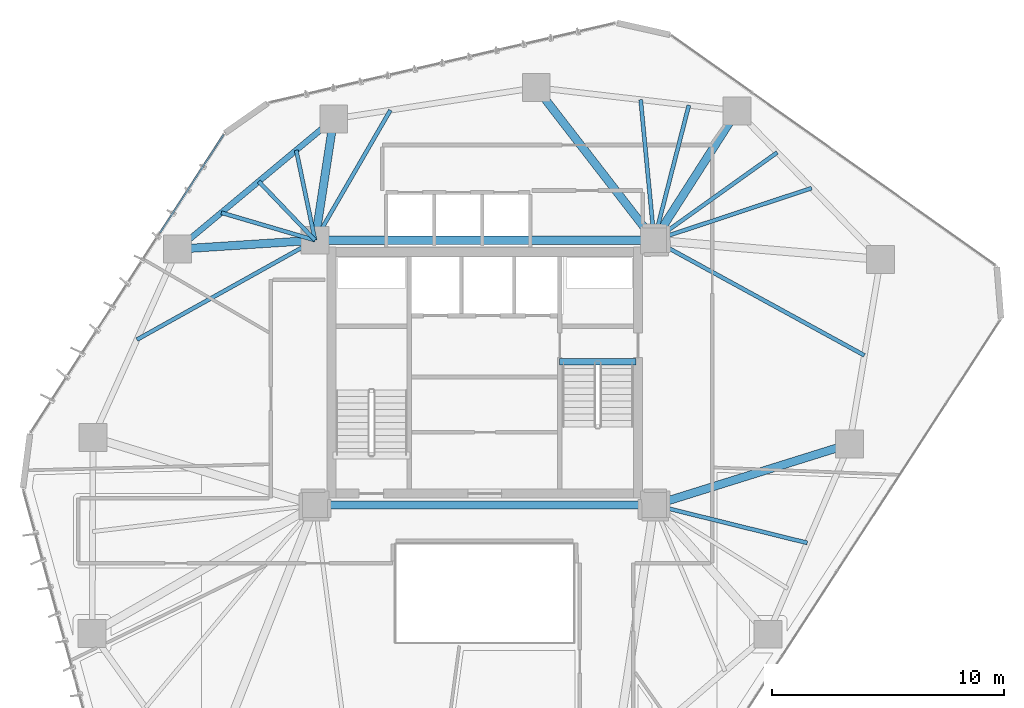
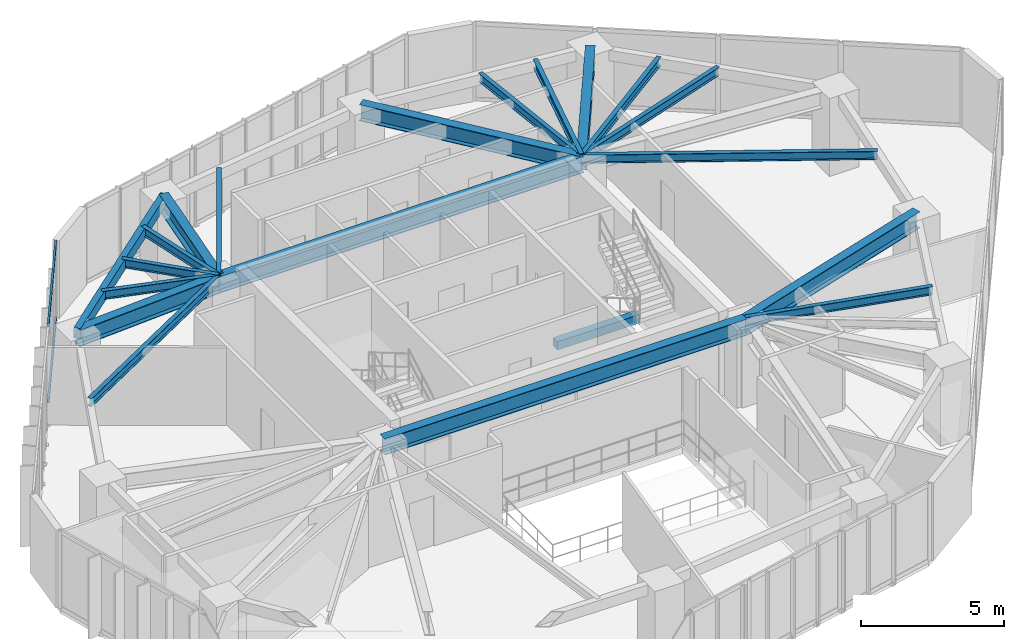
# One storey, part 10 of 21: 20 beams, 2 members, 1 element without a shape of its own.
"""IFC4 building model written with IfcOpenShell, lengths in metres."""

from ifc_helpers import new_model, si_unit, direction, frame, origin, origin_2d, place, context, subcontext, project, spatial, rectangle, hollow_rectangle, i_section, extrude, source, transform, mapped, material, layer, layer_set, material_profile, profile_set, type_object, type_shapes, element, aggregate, save


model = new_model("IFC4")

# Units and contexts
model_context = context("Model", 3, precision=1e-05, world=origin(), true_north=direction((0.0, 1.0)))
body_context = subcontext(model_context, "Body", "Model", "MODEL_VIEW")
ifc_project = project(units=[si_unit("LENGTHUNIT", "METRE"), si_unit("AREAUNIT", "SQUARE_METRE"), si_unit("VOLUMEUNIT", "CUBIC_METRE"), si_unit("PLANEANGLEUNIT", "RADIAN"), si_unit("MASSUNIT", "GRAM", prefix="KILO")], contexts=[model_context])

# Site, building, storey
site_placement = place(None, origin())
site = spatial("IfcSite", under=ifc_project, at=site_placement, CompositionType="ELEMENT")
building_placement = place(site_placement, origin())
building = spatial("IfcBuilding", under=site, at=building_placement, Name="Talar Marvaseh", CompositionType="ELEMENT")
storey_placement = place(building_placement, frame((0.0, 0.0, 129.0)))
storey = spatial("IfcBuildingStorey", under=building, at=storey_placement, Name="L33", CompositionType="ELEMENT", Elevation=129.0)

# Beams
ifc_material_1 = material(Name="Concrete C40/50", Category="concrete")
ifc_material_profile_1 = material_profile(ifc_material_1, rectangle(XDim=0.300048828125, YDim=0.360107421875, at=origin_2d()), Name="RC300x360")
ifc_profile_set_1 = profile_set([ifc_material_profile_1], Name="Concrete C40/50")
beam_type_1 = type_object("IfcBeamType", Name="Concrete Stair Landing Trimmer Beam RC300x360", PredefinedType="SPANDREL", material=ifc_profile_set_1)
beam_1_placement = place(storey_placement, frame((29.219970703125, 31.669921875, -0.179931640625), z_axis=(1.0, 0.0, 0.0), x_axis=(0.0, 1.0, 0.0)))
element("IfcBeam", 1, at=beam_1_placement, inside=storey, type_object=beam_type_1, Name="L33 ST-2 Stair Nosing Trimmer Beam", PredefinedType="SPANDREL", context=body_context, shape_type="SweptSolid", body=[
    extrude(rectangle(XDim=0.300048828125, YDim=0.360107421875, at=origin_2d()), origin(), (0.0, 0.0, 1.0), 3.300048828125),
])
ifc_material_2 = material(Name="Steel S355", Category="steel")
ifc_material_profile_2 = material_profile(ifc_material_2, hollow_rectangle(XDim=0.25, YDim=0.449951171875, WallThickness=0.01611328125, at=origin_2d()), Name="RHS450x250x16")
ifc_profile_set_2 = profile_set([ifc_material_profile_2], Name="Steel S355")
beam_type_2 = type_object("IfcBeamType", Name="Zone 2 Perimeter Spandrel Beam RHS450x250x16", PredefinedType="SPANDREL", material=ifc_profile_set_2)
beam_2_placement = place(storey_placement, frame((12.780029296875, 36.51708984375, 3.0849609375), z_axis=(0.76793081465, 0.640532796905, 0.0), x_axis=(-0.640532796905, 0.76793081465, 0.0)))
element("IfcBeam", 2, at=beam_2_placement, inside=storey, type_object=beam_type_2, Name="L33 Zone 2 Perimeter Spandrel Beam RHS450x250x16", PredefinedType="SPANDREL", context=body_context, shape_type="SweptSolid", body=[
    extrude(hollow_rectangle(XDim=0.25, YDim=0.449951171875, WallThickness=0.01611328125, at=origin_2d()), origin(), (0.0, 0.0, 1.0), 8.751953125),
])
ifc_material_profile_3 = material_profile(ifc_material_2, i_section(OverallWidth=0.35498046875, OverallDepth=0.695068359375, WebThickness=0.015380859375, FlangeThickness=0.02490234375, at=origin_2d()), Name="W690x217")
ifc_profile_set_3 = profile_set([ifc_material_profile_3], Name="Steel S355")
beam_type_3 = type_object("IfcBeamType", Name="Zone 2 Radial Floor Girder W690x217", PredefinedType="BEAM", material=ifc_profile_set_3)
for number, where, z_axis, x_axis, name in (
    (3, (18.699951171875, 25.5, 2.96240234375), (1.0, 0.0, 0.0), (0.0, 1.0, 0.0), "L33 Zone 2 Radial Floor Girder W690x217"),
    (4, (18.699951171875, 36.89990234375, 2.96240234375), (1.0, 0.0, 0.0), (0.0, 1.0, 0.0), "L33 Zone 2 Radial Floor Girder W690x217"),
):
    element("IfcBeam", number, at=place(storey_placement, frame(where, z_axis=z_axis, x_axis=x_axis)), inside=storey, type_object=beam_type_3, Name=name, PredefinedType="BEAM", context=body_context, shape_type="SweptSolid", body=[
        extrude(i_section(OverallWidth=0.35498046875, OverallDepth=0.695068359375, WebThickness=0.015380859375, FlangeThickness=0.02490234375, at=origin_2d()), origin(), (0.0, 0.0, 1.0), 14.60009765625),
    ])
beam_3_placement = place(storey_placement, frame((36.865966796875, 42.470947265625, 2.96240234375), z_axis=(-0.539101874952, -0.842240564461, 0.0), x_axis=(0.842240564461, -0.539101874952, 0.0)))
element("IfcBeam", 5, at=beam_3_placement, inside=storey, type_object=beam_type_3, Name="L33 Zone 2 Radial Floor Girder W690x217", PredefinedType="BEAM", context=body_context, shape_type="SweptSolid", body=[
    extrude(i_section(OverallWidth=0.35498046875, OverallDepth=0.695068359375, WebThickness=0.015380859375, FlangeThickness=0.02490234375, at=origin_2d()), origin(), (0.0, 0.0, 1.0), 6.614501953125),
])
beam_4_placement = place(storey_placement, frame((41.708984375, 28.1279296875, 2.96240234375), z_axis=(-0.954475540106, -0.298289194138, 0.0), x_axis=(0.298289194138, -0.954475540106, 0.0)))
element("IfcBeam", 6, at=beam_4_placement, inside=storey, type_object=beam_type_3, Name="L33 Zone 2 Radial Floor Girder W690x217", PredefinedType="BEAM", context=body_context, shape_type="SweptSolid", body=[
    extrude(i_section(OverallWidth=0.35498046875, OverallDepth=0.695068359375, WebThickness=0.015380859375, FlangeThickness=0.02490234375, at=origin_2d()), origin(), (0.0, 0.0, 1.0), 8.81005859375),
])
beam_5_placement = place(storey_placement, frame((12.780029296875, 36.51708984375, 2.96240234375), z_axis=(0.997915745008, 0.064530348407, 0.0), x_axis=(-0.064530348407, 0.997915745008, 0.0)))
element("IfcBeam", 7, at=beam_5_placement, inside=storey, type_object=beam_type_3, Name="L33 Zone 2 Radial Floor Girder W690x217", PredefinedType="BEAM", context=body_context, shape_type="SweptSolid", body=[
    extrude(i_section(OverallWidth=0.35498046875, OverallDepth=0.695068359375, WebThickness=0.015380859375, FlangeThickness=0.02490234375, at=origin_2d()), origin(), (0.0, 0.0, 1.0), 5.932373046875),
])
beam_6_placement = place(storey_placement, frame((19.5009765625, 42.123046875, 2.96240234375), z_axis=(-0.151588471466, -0.98844369355, 0.0), x_axis=(0.98844369355, -0.151588471466, 0.0)))
element("IfcBeam", 8, at=beam_6_placement, inside=storey, type_object=beam_type_3, Name="L33 Zone 2 Radial Floor Girder W690x217", PredefinedType="BEAM", context=body_context, shape_type="SweptSolid", body=[
    extrude(i_section(OverallWidth=0.35498046875, OverallDepth=0.695068359375, WebThickness=0.015380859375, FlangeThickness=0.02490234375, at=origin_2d()), origin(), (0.0, 0.0, 1.0), 5.2841796875),
])
beam_7_placement = place(storey_placement, frame((28.221923828125, 43.471923828125, 2.96240234375), z_axis=(0.611428258763, -0.791299870079, 0.0), x_axis=(0.791299870079, 0.611428258763, 0.0)))
element("IfcBeam", 9, at=beam_7_placement, inside=storey, type_object=beam_type_3, Name="L33 Zone 2 Radial Floor Girder W690x217", PredefinedType="BEAM", context=body_context, shape_type="SweptSolid", body=[
    extrude(i_section(OverallWidth=0.35498046875, OverallDepth=0.695068359375, WebThickness=0.015380859375, FlangeThickness=0.02490234375, at=origin_2d()), origin(), (0.0, 0.0, 1.0), 8.305419921875),
])
ifc_material_profile_4 = material_profile(ifc_material_2, i_section(OverallWidth=0.172119140625, OverallDepth=0.35791015625, WebThickness=0.0078125, FlangeThickness=0.01318359375, at=origin_2d()), Name="W360x57")
ifc_profile_set_4 = profile_set([ifc_material_profile_4], Name="Steel S355")
beam_type_4 = type_object("IfcBeamType", Name="Zone 2 Secondary Floor Joist W360x57", PredefinedType="JOIST", material=ifc_profile_set_4)
beam_8_placement = place(storey_placement, frame((38.595703125, 40.680419921875, 3.131103515625), z_axis=(-0.813885558782, -0.581025212195, 0.0), x_axis=(0.581025212195, -0.813885558782, 0.0)))
element("IfcBeam", 10, at=beam_8_placement, inside=storey, type_object=beam_type_4, Name="L33 Zone 2 Secondary Floor Joist W360x57", PredefinedType="JOIST", context=body_context, shape_type="SweptSolid", body=[
    extrude(i_section(OverallWidth=0.172119140625, OverallDepth=0.35791015625, WebThickness=0.0078125, FlangeThickness=0.01318359375, at=origin_2d()), origin(), (0.0, 0.0, 1.0), 6.506591796875),
])
beam_9_placement = place(storey_placement, frame((40.07861328125, 39.1455078125, 3.131103515625), z_axis=(-0.949266314022, -0.314473313754, 0.0), x_axis=(0.314473313754, -0.949266314022, 0.0)))
element("IfcBeam", 11, at=beam_9_placement, inside=storey, type_object=beam_type_4, Name="L33 Zone 2 Secondary Floor Joist W360x57", PredefinedType="JOIST", context=body_context, shape_type="SweptSolid", body=[
    extrude(i_section(OverallWidth=0.172119140625, OverallDepth=0.35791015625, WebThickness=0.0078125, FlangeThickness=0.01318359375, at=origin_2d()), origin(), (0.0, 0.0, 1.0), 7.140869140625),
])
beam_10_placement = place(storey_placement, frame((42.349853515625, 31.943115234375, 3.131103515625), z_axis=(-0.877057817553, 0.480384829766, 0.0), x_axis=(-0.480384829766, -0.877057817553, 0.0)))
element("IfcBeam", 12, at=beam_10_placement, inside=storey, type_object=beam_type_4, Name="L33 Zone 2 Secondary Floor Joist W360x57", PredefinedType="JOIST", context=body_context, shape_type="SweptSolid", body=[
    extrude(i_section(OverallWidth=0.172119140625, OverallDepth=0.35791015625, WebThickness=0.0078125, FlangeThickness=0.01318359375, at=origin_2d()), origin(), (0.0, 0.0, 1.0), 10.318359375),
])
beam_11_placement = place(storey_placement, frame((39.887451171875, 23.870849609375, 3.131103515625), z_axis=(-0.970753133019, 0.240079892396, 0.0), x_axis=(-0.240079892396, -0.970753133019, 0.0)))
element("IfcBeam", 13, at=beam_11_placement, inside=storey, type_object=beam_type_4, Name="L33 Zone 2 Secondary Floor Joist W360x57", PredefinedType="JOIST", context=body_context, shape_type="SweptSolid", body=[
    extrude(i_section(OverallWidth=0.172119140625, OverallDepth=0.35791015625, WebThickness=0.0078125, FlangeThickness=0.01318359375, at=origin_2d()), origin(), (0.0, 0.0, 1.0), 6.785888671875),
])
beam_12_placement = place(storey_placement, frame((11.03173828125, 32.621826171875, 3.131103515625), z_axis=(0.873287668061, 0.487204935128, 0.0), x_axis=(-0.487204935128, 0.873287668061, 0.0)))
element("IfcBeam", 14, at=beam_12_placement, inside=storey, type_object=beam_type_4, Name="L33 Zone 2 Secondary Floor Joist W360x57", PredefinedType="JOIST", context=body_context, shape_type="SweptSolid", body=[
    extrude(i_section(OverallWidth=0.172119140625, OverallDepth=0.35791015625, WebThickness=0.0078125, FlangeThickness=0.01318359375, at=origin_2d()), origin(), (0.0, 0.0, 1.0), 8.78076171875),
])
beam_13_placement = place(storey_placement, frame((14.661865234375, 38.086669921875, 3.131103515625), z_axis=(0.959423672171, -0.281968468587, 0.0), x_axis=(0.281968468587, 0.959423672171, 0.0)))
element("IfcBeam", 15, at=beam_13_placement, inside=storey, type_object=beam_type_4, Name="L33 Zone 2 Secondary Floor Joist W360x57", PredefinedType="JOIST", context=body_context, shape_type="SweptSolid", body=[
    extrude(i_section(OverallWidth=0.172119140625, OverallDepth=0.35791015625, WebThickness=0.0078125, FlangeThickness=0.01318359375, at=origin_2d()), origin(), (0.0, 0.0, 1.0), 4.208984375),
])
beam_14_placement = place(storey_placement, frame((16.27490234375, 39.43212890625, 3.131103515625), z_axis=(0.691657292908, -0.722225857449, 0.0), x_axis=(0.722225857449, 0.691657292908, 0.0)))
element("IfcBeam", 16, at=beam_14_placement, inside=storey, type_object=beam_type_4, Name="L33 Zone 2 Secondary Floor Joist W360x57", PredefinedType="JOIST", context=body_context, shape_type="SweptSolid", body=[
    extrude(i_section(OverallWidth=0.172119140625, OverallDepth=0.35791015625, WebThickness=0.0078125, FlangeThickness=0.01318359375, at=origin_2d()), origin(), (0.0, 0.0, 1.0), 3.506103515625),
])
beam_15_placement = place(storey_placement, frame((17.887939453125, 40.777587890625, 3.131103515625), z_axis=(0.204960633597, -0.978770217505, 0.0), x_axis=(0.978770217505, 0.204960633597, 0.0)))
element("IfcBeam", 17, at=beam_15_placement, inside=storey, type_object=beam_type_4, Name="L33 Zone 2 Secondary Floor Joist W360x57", PredefinedType="JOIST", context=body_context, shape_type="SweptSolid", body=[
    extrude(i_section(OverallWidth=0.172119140625, OverallDepth=0.35791015625, WebThickness=0.0078125, FlangeThickness=0.01318359375, at=origin_2d()), origin(), (0.0, 0.0, 1.0), 3.9619140625),
])
beam_16_placement = place(storey_placement, frame((21.94287109375, 42.500732421875, 3.131103515625), z_axis=(-0.501074932228, -0.865403901246, 0.0), x_axis=(0.865403901246, -0.501074932228, 0.0)))
element("IfcBeam", 18, at=beam_16_placement, inside=storey, type_object=beam_type_4, Name="L33 Zone 2 Secondary Floor Joist W360x57", PredefinedType="JOIST", context=body_context, shape_type="SweptSolid", body=[
    extrude(i_section(OverallWidth=0.172119140625, OverallDepth=0.35791015625, WebThickness=0.0078125, FlangeThickness=0.01318359375, at=origin_2d()), origin(), (0.0, 0.0, 1.0), 6.471923828125),
])
beam_17_placement = place(storey_placement, frame((32.716796875, 42.951416015625, 3.131103515625), z_axis=(0.095936604223, -0.995387446159, 0.0), x_axis=(0.995387446159, 0.095936604223, 0.0)))
element("IfcBeam", 19, at=beam_17_placement, inside=storey, type_object=beam_type_4, Name="L33 Zone 2 Secondary Floor Joist W360x57", PredefinedType="JOIST", context=body_context, shape_type="SweptSolid", body=[
    extrude(i_section(OverallWidth=0.172119140625, OverallDepth=0.35791015625, WebThickness=0.0078125, FlangeThickness=0.01318359375, at=origin_2d()), origin(), (0.0, 0.0, 1.0), 6.07958984375),
])
beam_18_placement = place(storey_placement, frame((34.79150390625, 42.711181640625, 3.131103515625), z_axis=(-0.248591710753, -0.968608363243, 0.0), x_axis=(0.968608363243, -0.248591710753, 0.0)))
element("IfcBeam", 20, at=beam_18_placement, inside=storey, type_object=beam_type_4, Name="L33 Zone 2 Secondary Floor Joist W360x57", PredefinedType="JOIST", context=body_context, shape_type="SweptSolid", body=[
    extrude(i_section(OverallWidth=0.172119140625, OverallDepth=0.35791015625, WebThickness=0.0078125, FlangeThickness=0.01318359375, at=origin_2d()), origin(), (0.0, 0.0, 1.0), 5.99951171875),
])

# Curtain wall, members
ifc_material_3 = material(Name="Architectural Aluminium", Category="aluminium")
ifc_layer = layer(ifc_material_3, 0.199951171875)
ifc_layer_set = layer_set([ifc_layer], Name="Architectural Aluminium")
curtain_wall_type = type_object("IfcCurtainWallType", Name="Unitised Acoustic Library Curtain Wall Z2", PredefinedType="NOTDEFINED", material=ifc_layer_set)
curtain_wall_placement = place(storey_placement, origin())
curtain_wall = element("IfcCurtainWall", 21, at=curtain_wall_placement, inside=storey, type_object=curtain_wall_type, Name="L33 Unitised Acoustic Library Curtain Wall Z2", PredefinedType="NOTDEFINED")
ifc_material_profile_5 = material_profile(ifc_material_3, hollow_rectangle(XDim=0.074951171875, YDim=0.179931640625, WallThickness=0.0048828125, at=origin_2d()), Name="RHS180x75x5")
ifc_profile_set_5 = profile_set([ifc_material_profile_5], Name="Architectural Aluminium")
member_type = type_object("IfcMemberType", Name="Unitised Curtain Wall Transom RHS180x75x5", PredefinedType="USERDEFINED", material=ifc_profile_set_5)
shared_shape = source(origin(), body_context, "Body", "SweptSolid", [
    extrude(hollow_rectangle(XDim=0.074951171875, YDim=0.179931640625, WallThickness=0.0048828125, at=origin_2d()), origin(), (0.0, 0.0, 1.0), 5.017578125),
])
type_shapes(member_type, [shared_shape])
member_1_placement = place(storey_placement, frame((12.030517578125, 37.225830078125, 0.03759765625), z_axis=(0.543636554899, 0.839320734986, 0.0), x_axis=(-0.839320734986, 0.543636554899, 0.0)))
member_1 = element("IfcMember", 22, at=member_1_placement, type_object=member_type, Name="CW-Z2 transom 3.1", ObjectType="TRANSOM", PredefinedType="USERDEFINED", context=body_context, shape_type="MappedRepresentation", body=[
    mapped(shared_shape, transform((0.0, 0.0, 0.0), x_axis=(1.0, 0.0, 0.0), y_axis=(0.0, 1.0, 0.0), z_axis=(0.0, 0.0, 1.0), scale=1.0)),
])
member_2_placement = place(storey_placement, frame((12.030517578125, 37.225830078125, 3.2724609375), z_axis=(0.543636554899, 0.839320734986, 0.0), x_axis=(-0.839320734986, 0.543636554899, 0.0)))
member_2 = element("IfcMember", 23, at=member_2_placement, type_object=member_type, Name="CW-Z2 transom 3.2", ObjectType="TRANSOM", PredefinedType="USERDEFINED", context=body_context, shape_type="MappedRepresentation", body=[
    mapped(shared_shape, transform((0.0, 0.0, 0.0), x_axis=(1.0, 0.0, 0.0), y_axis=(0.0, 1.0, 0.0), z_axis=(0.0, 0.0, 1.0), scale=1.0)),
])
aggregate(curtain_wall, [member_1, member_2])

save(model, "model.ifc")
